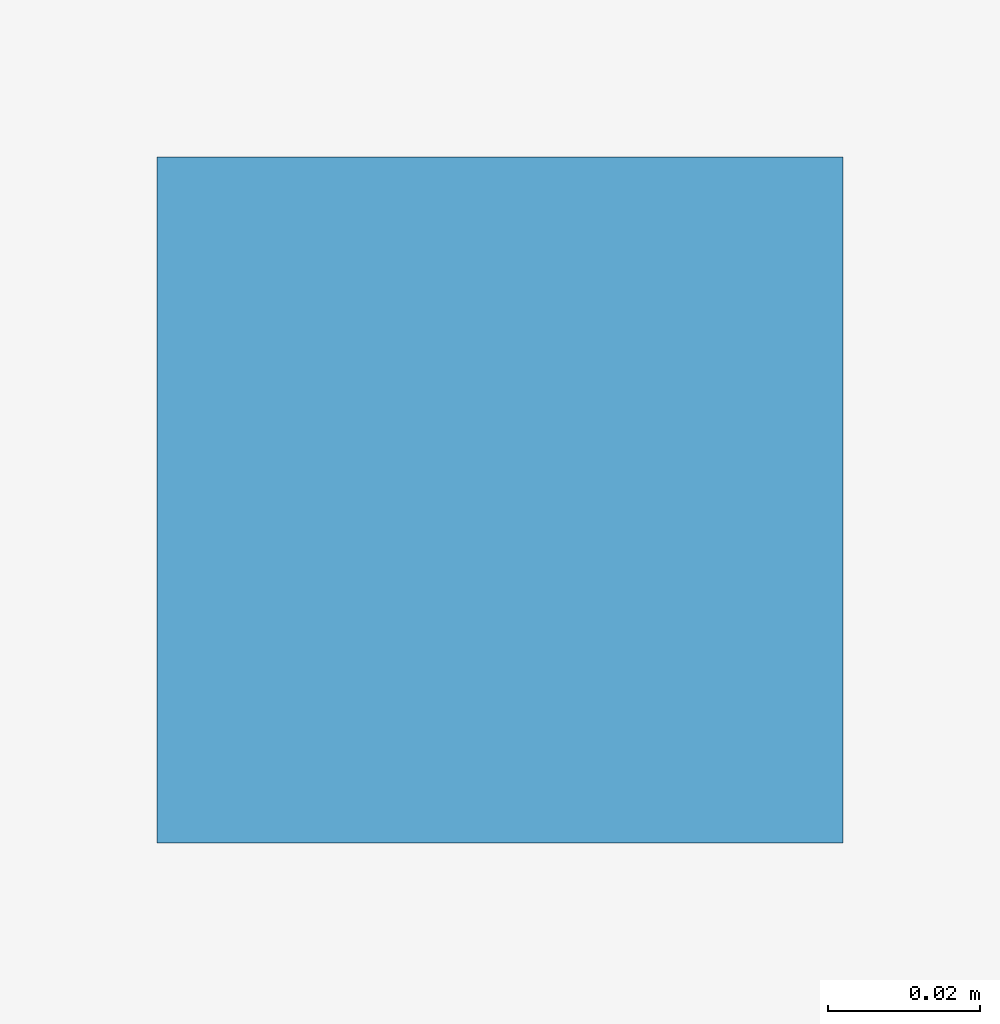
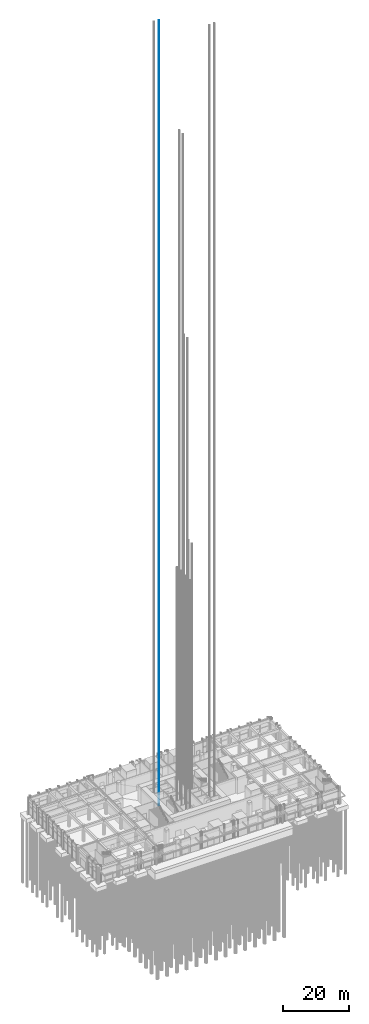
# One storey, part 33 of 46: 1 discrete accessory.
"""IFC4 building model written with IfcOpenShell, lengths in metres."""

from ifc_helpers import new_model, si_unit, direction, frame, origin, origin_2d, place, context, subcontext, project, spatial, rectangle, extrude, element, save


model = new_model("IFC4")

# Units and contexts
model_context = context("Model", 3, precision=1e-05, world=origin(), true_north=direction((0.0, 1.0)))
body_context = subcontext(model_context, "Body", "Model", "MODEL_VIEW")
ifc_project = project(units=[si_unit("LENGTHUNIT", "METRE"), si_unit("AREAUNIT", "SQUARE_METRE"), si_unit("VOLUMEUNIT", "CUBIC_METRE"), si_unit("PLANEANGLEUNIT", "RADIAN"), si_unit("MASSUNIT", "GRAM", prefix="KILO")], contexts=[model_context])

# Site, building, storey
site_placement = place(None, origin())
site = spatial("IfcSite", under=ifc_project, at=site_placement, CompositionType="ELEMENT")
building_placement = place(site_placement, origin())
building = spatial("IfcBuilding", under=site, at=building_placement, Name="Svetlomir Tower", CompositionType="ELEMENT")
storey_placement = place(building_placement, origin())
storey = spatial("IfcBuildingStorey", under=building, at=storey_placement, Name="L00", CompositionType="ELEMENT", Elevation=0.0)

# Discrete accessory
discrete_accessory_placement = place(storey_placement, frame((15.074951171875, 25.949951171875, 0.0), z_axis=(0.0, 0.0, 1.0), x_axis=(1.0, 0.0, 0.0)))
element("IfcDiscreteAccessory", 1, at=discrete_accessory_placement, inside=storey, Name="Lift FL1 guide rail 2", ObjectType="LIFT GUIDE RAIL", PredefinedType="USERDEFINED", context=body_context, shape_type="SweptSolid", body=[
    extrude(rectangle(XDim=0.090087890625, YDim=0.090087890625, at=origin_2d()), origin(), (0.0, 0.0, 1.0), 289.25),
])

save(model, "model.ifc")
